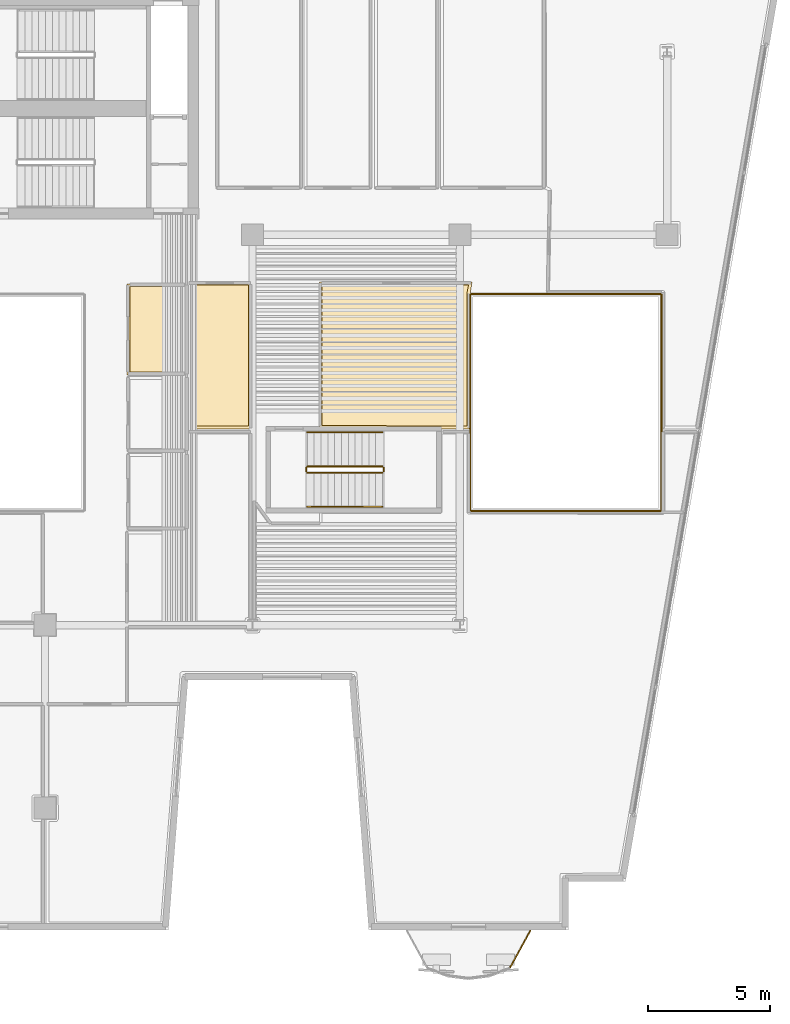
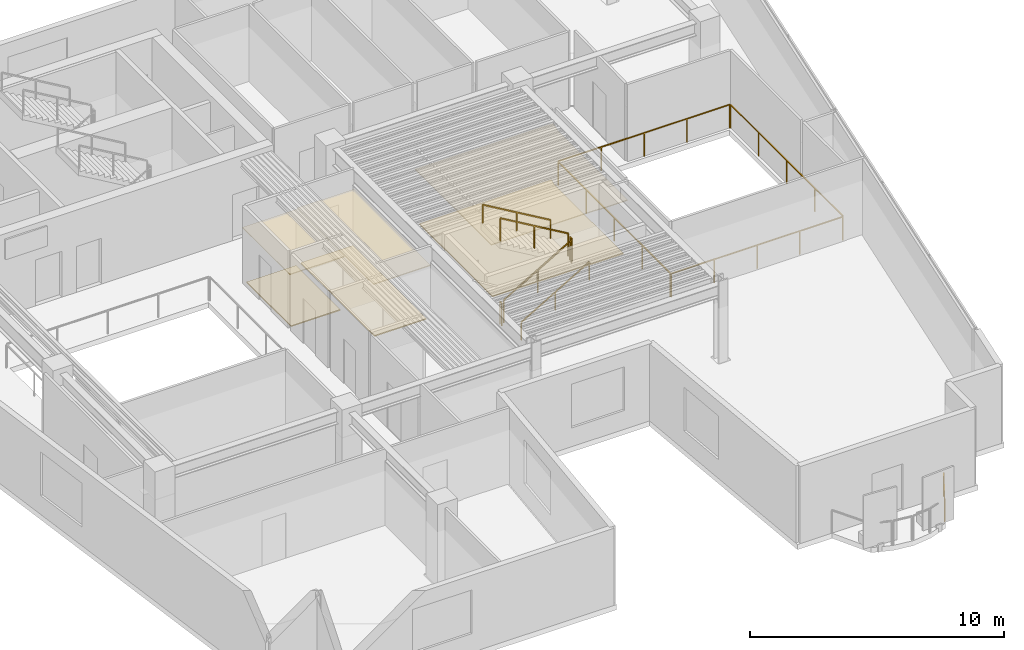
# One storey, part 8 of 10: 11 railings, 6 coverings.
"""IFC4 building model written with IfcOpenShell, lengths in metres."""

from ifc_helpers import new_model, si_unit, direction, frame, origin, origin_2d, place, context, subcontext, project, spatial, polyline, rectangle, outline, extrude, material, layer, layer_set, type_object, element, save


model = new_model("IFC4")

# Units and contexts
model_context = context("Model", 3, precision=1e-05, world=origin(), true_north=direction((0.0, 1.0)))
body_context = subcontext(model_context, "Body", "Model", "MODEL_VIEW")
ifc_project = project(units=[si_unit("LENGTHUNIT", "METRE"), si_unit("AREAUNIT", "SQUARE_METRE"), si_unit("VOLUMEUNIT", "CUBIC_METRE"), si_unit("PLANEANGLEUNIT", "RADIAN"), si_unit("MASSUNIT", "GRAM", prefix="KILO")], contexts=[model_context])

# Site, building, storey
site_placement = place(None, origin())
site = spatial("IfcSite", under=ifc_project, at=site_placement, CompositionType="ELEMENT")
building_placement = place(site_placement, origin())
building = spatial("IfcBuilding", under=site, at=building_placement, Name="Caeloran Harvest Quay", CompositionType="ELEMENT")
storey_placement = place(building_placement, frame((0.0, 0.0, 187.699951171875)))
storey = spatial("IfcBuildingStorey", under=building, at=storey_placement, Name="L44", CompositionType="ELEMENT", Elevation=187.699951171875)

# Coverings
ifc_material_1 = material(Name="Perforated Mineral-Fibre Acoustic Ceiling Tile", Category="ceiling")
ifc_layer_1 = layer(ifc_material_1, 0.0400390625, Name="Perforated Mineral-Fibre Acoustic Ceiling Tile")
ifc_layer_set_1 = layer_set([ifc_layer_1], Name="Perforated Mineral-Fibre Acoustic Ceiling Tile")
covering_type_1 = type_object("IfcCoveringType", Name="COV-CEILING-ACOUSTIC", PredefinedType="CEILING", material=ifc_layer_set_1)
covering_1_placement = place(storey_placement, frame((0.0, 0.0, 2.60009765625)))
element("IfcCovering", 1, at=covering_1_placement, inside=storey, type_object=covering_type_1, Name="L44 Male Washroom WC Acoustic Ceiling", PredefinedType="CEILING", context=body_context, shape_type="SweptSolid", body=[
    extrude(outline(polyline([(22.840087890625, 28.989990234375), (22.840087890625, 25.260009765625), (20.360107421875, 25.260009765625), (20.360107421875, 28.989990234375), (22.840087890625, 28.989990234375)])), origin(), (0.0, 0.0, 1.0), 0.0400390625),
])
covering_2_placement = place(storey_placement, frame((0.0, 0.0, 2.60009765625)))
element("IfcCovering", 2, at=covering_2_placement, inside=storey, type_object=covering_type_1, Name="Harbour View Boardroom Acoustic Ceiling", PredefinedType="CEILING", context=body_context, shape_type="SweptSolid", body=[
    extrude(outline(polyline([(22.8701171875, 23.0400390625), (22.8701171875, 29.06005859375), (25.4599609375, 29.06005859375), (25.4599609375, 23.0400390625), (22.8701171875, 23.0400390625)])), origin(), (0.0, 0.0, 1.0), 0.0400390625),
])
covering_3_placement = place(storey_placement, frame((0.0, 0.0, 2.60009765625)))
element("IfcCovering", 3, at=covering_3_placement, inside=storey, type_object=covering_type_1, Name="Client Hospitality Lounge Acoustic Ceiling", PredefinedType="CEILING", context=body_context, shape_type="SweptSolid", body=[
    extrude(outline(polyline([(33.162841796875, 23.06005859375), (28.239990234375, 23.06005859375), (28.239990234375, 29.06005859375), (34.49853515625, 29.06005859375), (34.429931640625, 28.596923828125), (34.409912109375, 28.592041015625), (34.409912109375, 23.0400390625), (33.170166015625, 23.0400390625), (33.162841796875, 23.06005859375)])), origin(), (0.0, 0.0, 1.0), 0.0400390625),
])
ifc_material_2 = material(Name="Calcium-Sulphate Raised Access Floor and Terrazzo Finish", Category="flooring")
ifc_layer_2 = layer(ifc_material_2, 0.050048828125, Name="Calcium-Sulphate Raised Access Floor and Terrazzo Finish")
ifc_layer_set_2 = layer_set([ifc_layer_2], Name="Calcium-Sulphate Raised Access Floor and Terrazzo Finish")
covering_type_2 = type_object("IfcCoveringType", Name="COV-FLOOR-RAISED", PredefinedType="FLOORING", material=ifc_layer_set_2)
covering_4_placement = place(storey_placement, origin())
element("IfcCovering", 4, at=covering_4_placement, inside=storey, type_object=covering_type_2, Name="L44 Male Washroom WC Raised Finish Flooring", PredefinedType="FLOORING", context=body_context, shape_type="SweptSolid", body=[
    extrude(outline(polyline([(22.719970703125, 28.8701171875), (22.719970703125, 25.3798828125), (20.47998046875, 25.3798828125), (20.47998046875, 28.8701171875), (22.719970703125, 28.8701171875)])), origin(), (0.0, 0.0, 1.0), 0.050048828125),
])
covering_5_placement = place(storey_placement, origin())
element("IfcCovering", 5, at=covering_5_placement, inside=storey, type_object=covering_type_2, Name="Harbour View Boardroom Raised Finish Flooring", PredefinedType="FLOORING", context=body_context, shape_type="SweptSolid", body=[
    extrude(outline(polyline([(22.989990234375, 23.159912109375), (22.989990234375, 28.93994140625), (25.340087890625, 28.93994140625), (25.340087890625, 23.159912109375), (22.989990234375, 23.159912109375)])), origin(), (0.0, 0.0, 1.0), 0.050048828125),
])
covering_6_placement = place(storey_placement, origin())
element("IfcCovering", 6, at=covering_6_placement, inside=storey, type_object=covering_type_2, Name="Client Hospitality Lounge Raised Finish Flooring", PredefinedType="FLOORING", context=body_context, shape_type="SweptSolid", body=[
    extrude(outline(polyline([(34.2900390625, 23.159912109375), (28.360107421875, 23.179931640625), (28.360107421875, 28.93994140625), (34.359619140625, 28.93994140625), (34.2900390625, 28.60009765625), (34.2900390625, 23.159912109375)])), origin(), (0.0, 0.0, 1.0), 0.050048828125),
])

# Railings
ifc_material_3 = material(Name="Powder-Coated Steel Post and Laminated Glass Guardrail", Category="steel")
ifc_layer_3 = layer(ifc_material_3, 0.06005859375, Name="Powder-Coated Steel Post and Laminated Glass Guardrail")
ifc_layer_set_3 = layer_set([ifc_layer_3], Name="Powder-Coated Steel Post and Laminated Glass Guardrail")
railing_type_1 = type_object("IfcRailingType", Name="GUARD-ATRIUM-1150", PredefinedType="GUARDRAIL", material=ifc_layer_set_3)
railing_1_placement = place(storey_placement, frame((34.4619140625, 19.679931640625, 0.0)))
element("IfcRailing", 7, at=railing_1_placement, inside=storey, type_object=railing_type_1, Name="L44 East Botanical Lightwell Guardrail Seg 1", PredefinedType="GUARDRAIL", context=body_context, shape_type="SweptSolid", body=[
    extrude(rectangle(XDim=0.048095703125, YDim=0.048095703125, at=origin_2d()), frame((0.0, 0.0, 1.1259765625), z_axis=(1.0, 0.0, 0.0), x_axis=(0.0, 1.0, 0.0)), (0.0, 0.0, 1.0), 7.776123046875),
    extrude(rectangle(XDim=0.0419921875, YDim=0.0419921875, at=origin_2d()), origin(), (0.0, 0.0, 1.0), 1.101806640625),
    extrude(rectangle(XDim=0.0419921875, YDim=0.0419921875, at=origin_2d()), frame((1.944091796875, 0.0, 0.0)), (0.0, 0.0, 1.0), 1.101806640625),
    extrude(rectangle(XDim=0.0419921875, YDim=0.0419921875, at=origin_2d()), frame((3.88818359375, 0.0, 0.0)), (0.0, 0.0, 1.0), 1.101806640625),
    extrude(rectangle(XDim=0.0419921875, YDim=0.0419921875, at=origin_2d()), frame((5.83203125, 0.0, 0.0)), (0.0, 0.0, 1.0), 1.101806640625),
    extrude(rectangle(XDim=0.0419921875, YDim=0.0419921875, at=origin_2d()), frame((7.776123046875, 0.0, 0.0)), (0.0, 0.0, 1.0), 1.101806640625),
])
railing_2_placement = place(storey_placement, frame((42.27001953125, 19.7119140625, 0.0)))
element("IfcRailing", 8, at=railing_2_placement, inside=storey, type_object=railing_type_1, Name="L44 East Botanical Lightwell Guardrail Seg 2", PredefinedType="GUARDRAIL", context=body_context, shape_type="SweptSolid", body=[
    extrude(rectangle(XDim=0.048095703125, YDim=0.048095703125, at=origin_2d()), frame((0.0, 0.0, 1.1259765625), z_axis=(0.0, 1.0, 0.0), x_axis=(-1.0, 0.0, 0.0)), (0.0, 0.0, 1.0), 8.826171875),
    extrude(rectangle(XDim=0.0419921875, YDim=0.0419921875, at=origin_2d()), origin(), (0.0, 0.0, 1.0), 1.101806640625),
    extrude(rectangle(XDim=0.0419921875, YDim=0.0419921875, at=origin_2d()), frame((0.0, 2.20654296875, 0.0)), (0.0, 0.0, 1.0), 1.101806640625),
    extrude(rectangle(XDim=0.0419921875, YDim=0.0419921875, at=origin_2d()), frame((0.0, 4.4130859375, 0.0)), (0.0, 0.0, 1.0), 1.101806640625),
    extrude(rectangle(XDim=0.0419921875, YDim=0.0419921875, at=origin_2d()), frame((0.0, 6.61962890625, 0.0)), (0.0, 0.0, 1.0), 1.101806640625),
    extrude(rectangle(XDim=0.0419921875, YDim=0.0419921875, at=origin_2d()), frame((0.0, 8.826171875, 0.0)), (0.0, 0.0, 1.0), 1.101806640625),
])
railing_3_placement = place(storey_placement, frame((42.238037109375, 28.570068359375, 0.0)))
element("IfcRailing", 9, at=railing_3_placement, inside=storey, type_object=railing_type_1, Name="L44 East Botanical Lightwell Guardrail Seg 3", PredefinedType="GUARDRAIL", context=body_context, shape_type="SweptSolid", body=[
    extrude(rectangle(XDim=0.048095703125, YDim=0.048095703125, at=origin_2d()), frame((0.0, 0.0, 1.1259765625), z_axis=(-1.0, 0.0, 0.0), x_axis=(0.0, -1.0, 0.0)), (0.0, 0.0, 1.0), 7.776123046875),
    extrude(rectangle(XDim=0.0419921875, YDim=0.0419921875, at=origin_2d()), origin(), (0.0, 0.0, 1.0), 1.101806640625),
    extrude(rectangle(XDim=0.0419921875, YDim=0.0419921875, at=origin_2d()), frame((-1.944091796875, 0.0, 0.0)), (0.0, 0.0, 1.0), 1.101806640625),
    extrude(rectangle(XDim=0.0419921875, YDim=0.0419921875, at=origin_2d()), frame((-3.88818359375, 0.0, 0.0)), (0.0, 0.0, 1.0), 1.101806640625),
    extrude(rectangle(XDim=0.0419921875, YDim=0.0419921875, at=origin_2d()), frame((-5.83203125, 0.0, 0.0)), (0.0, 0.0, 1.0), 1.101806640625),
    extrude(rectangle(XDim=0.0419921875, YDim=0.0419921875, at=origin_2d()), frame((-7.776123046875, 0.0, 0.0)), (0.0, 0.0, 1.0), 1.101806640625),
])
railing_4_placement = place(storey_placement, frame((34.429931640625, 28.5380859375, 0.0)))
element("IfcRailing", 10, at=railing_4_placement, inside=storey, type_object=railing_type_1, Name="L44 East Botanical Lightwell Guardrail Seg 4", PredefinedType="GUARDRAIL", context=body_context, shape_type="SweptSolid", body=[
    extrude(rectangle(XDim=0.048095703125, YDim=0.048095703125, at=origin_2d()), frame((0.0, 0.0, 1.1259765625), z_axis=(0.0, -1.0, 0.0), x_axis=(1.0, 0.0, 0.0)), (0.0, 0.0, 1.0), 8.826171875),
    extrude(rectangle(XDim=0.0419921875, YDim=0.0419921875, at=origin_2d()), origin(), (0.0, 0.0, 1.0), 1.101806640625),
    extrude(rectangle(XDim=0.0419921875, YDim=0.0419921875, at=origin_2d()), frame((0.0, -2.20654296875, 0.0)), (0.0, 0.0, 1.0), 1.101806640625),
    extrude(rectangle(XDim=0.0419921875, YDim=0.0419921875, at=origin_2d()), frame((0.0, -4.4130859375, 0.0)), (0.0, 0.0, 1.0), 1.101806640625),
    extrude(rectangle(XDim=0.0419921875, YDim=0.0419921875, at=origin_2d()), frame((0.0, -6.61962890625, 0.0)), (0.0, 0.0, 1.0), 1.101806640625),
    extrude(rectangle(XDim=0.0419921875, YDim=0.0419921875, at=origin_2d()), frame((0.0, -8.826171875, 0.0)), (0.0, 0.0, 1.0), 1.101806640625),
])
ifc_material_4 = material(Name="Laminated Safety Glass and Stainless Steel 316", Category="steel")
ifc_layer_4 = layer(ifc_material_4, 0.06005859375, Name="Laminated Safety Glass and Stainless Steel 316")
ifc_layer_set_4 = layer_set([ifc_layer_4], Name="Laminated Safety Glass and Stainless Steel 316")
railing_type_2 = type_object("IfcRailingType", Name="GUARD-BALUSTRADE-1150", PredefinedType="BALUSTRADE", material=ifc_layer_set_4)
railing_5_placement = place(storey_placement, frame((36.89501953125, 2.47998046875, 0.0)))
element("IfcRailing", 11, at=railing_5_placement, inside=storey, type_object=railing_type_2, Name="L44 Planted Balcony Perimeter Balustrade Guard Seg 1", PredefinedType="BALUSTRADE", context=body_context, shape_type="SweptSolid", body=[
    extrude(rectangle(XDim=0.048095703125, YDim=0.048095703125, at=origin_2d()), frame((0.0, 0.0, 1.1259765625), z_axis=(-0.483193700967, -0.875513476393, 0.0), x_axis=(0.875513476393, -0.483193700967, 0.0)), (0.0, 0.0, 1.0), 1.719482421875),
    extrude(rectangle(XDim=0.0419921875, YDim=0.0419921875, at=origin_2d()), origin(), (0.0, 0.0, 1.0), 1.101806640625),
    extrude(rectangle(XDim=0.0419921875, YDim=0.0419921875, at=origin_2d()), frame((-0.830810546875, -1.50537109375, 0.0)), (0.0, 0.0, 1.0), 1.101806640625),
])
ifc_material_5 = material(Name="Painted Steel Baluster and Top-Rail Stair Guard", Category="steel")
ifc_layer_5 = layer(ifc_material_5, 0.050048828125, Name="Painted Steel Baluster and Top-Rail Stair Guard")
ifc_layer_set_5 = layer_set([ifc_layer_5], Name="Painted Steel Baluster and Top-Rail Stair Guard")
railing_type_3 = type_object("IfcRailingType", Name="STAIR-GUARD-1100", PredefinedType="GUARDRAIL", material=ifc_layer_set_5)
railing_6_placement = place(storey_placement, frame((27.75, 21.25, 0.16455078125)))
element("IfcRailing", 12, at=railing_6_placement, inside=storey, type_object=railing_type_3, Name="L44 ST-W1 stair guard 1", PredefinedType="GUARDRAIL", context=body_context, shape_type="SweptSolid", body=[
    extrude(rectangle(XDim=0.048095703125, YDim=0.048095703125, at=origin_2d()), frame((0.0, 0.0, 1.076171875), z_axis=(0.862088758681, 0.0, 0.506757310905), x_axis=(0.0, 1.0, 0.0)), (0.0, 0.0, 1.0), 3.57275390625),
    extrude(rectangle(XDim=0.0419921875, YDim=0.0419921875, at=origin_2d()), origin(), (0.0, 0.0, 1.0), 1.052001953125),
    extrude(rectangle(XDim=0.0419921875, YDim=0.0419921875, at=origin_2d()), frame((1.5400390625, 0.0, 0.9052734375)), (0.0, 0.0, 1.0), 1.052001953125),
    extrude(rectangle(XDim=0.0419921875, YDim=0.0419921875, at=origin_2d()), frame((3.080078125, 0.0, 1.810546875)), (0.0, 0.0, 1.0), 1.052001953125),
])
railing_7_placement = place(storey_placement, frame((30.8798828125, 21.300048828125, 1.97509765625)))
element("IfcRailing", 13, at=railing_7_placement, inside=storey, type_object=railing_type_3, Name="L44 ST-W1 stair guard 2", PredefinedType="GUARDRAIL", context=body_context, shape_type="SweptSolid", body=[
    extrude(rectangle(XDim=0.048095703125, YDim=0.048095703125, at=origin_2d()), frame((0.0, 0.0, 1.076171875), z_axis=(0.0, 1.0, 0.0), x_axis=(-1.0, 0.0, 0.0)), (0.0, 0.0, 1.0), 0.14990234375),
    extrude(rectangle(XDim=0.0419921875, YDim=0.0419921875, at=origin_2d()), origin(), (0.0, 0.0, 1.0), 1.052001953125),
    extrude(rectangle(XDim=0.0419921875, YDim=0.0419921875, at=origin_2d()), frame((0.0, 0.14990234375, 0.0)), (0.0, 0.0, 1.0), 1.052001953125),
])
railing_8_placement = place(storey_placement, frame((30.830078125, 21.5, 2.1396484375)))
element("IfcRailing", 14, at=railing_8_placement, inside=storey, type_object=railing_type_3, Name="L44 ST-W1 stair guard 3", PredefinedType="GUARDRAIL", context=body_context, shape_type="SweptSolid", body=[
    extrude(rectangle(XDim=0.048095703125, YDim=0.048095703125, at=origin_2d()), frame((0.0, 0.0, 1.076171875), z_axis=(-0.862118610829, 0.0, 0.506706523406), x_axis=(0.0, -1.0, 0.0)), (0.0, 0.0, 1.0), 3.57275390625),
    extrude(rectangle(XDim=0.0419921875, YDim=0.0419921875, at=origin_2d()), origin(), (0.0, 0.0, 1.0), 1.052001953125),
    extrude(rectangle(XDim=0.0419921875, YDim=0.0419921875, at=origin_2d()), frame((-1.5400390625, 0.0, 0.9052734375)), (0.0, 0.0, 1.0), 1.052001953125),
    extrude(rectangle(XDim=0.0419921875, YDim=0.0419921875, at=origin_2d()), frame((-3.080078125, 0.0, 1.810302734375)), (0.0, 0.0, 1.0), 1.052001953125),
])
railing_9_placement = place(storey_placement, frame((27.699951171875, 21.300048828125, 0.0)))
element("IfcRailing", 15, at=railing_9_placement, inside=storey, type_object=railing_type_3, Name="L44 ST-W1 stair guard 4", PredefinedType="GUARDRAIL", context=body_context, shape_type="SweptSolid", body=[
    extrude(rectangle(XDim=0.048095703125, YDim=0.048095703125, at=origin_2d()), frame((0.0, 0.0, 1.076171875), z_axis=(0.0, 1.0, 0.0), x_axis=(-1.0, 0.0, 0.0)), (0.0, 0.0, 1.0), 0.14990234375),
    extrude(rectangle(XDim=0.0419921875, YDim=0.0419921875, at=origin_2d()), origin(), (0.0, 0.0, 1.0), 1.052001953125),
    extrude(rectangle(XDim=0.0419921875, YDim=0.0419921875, at=origin_2d()), frame((0.0, 0.14990234375, 0.0)), (0.0, 0.0, 1.0), 1.052001953125),
])
ifc_material_6 = material(Name="Brushed Stainless Steel Grade 304", Category="steel")
ifc_layer_6 = layer(ifc_material_6, 0.050048828125, Name="Brushed Stainless Steel Grade 304")
ifc_layer_set_6 = layer_set([ifc_layer_6], Name="Brushed Stainless Steel Grade 304")
railing_type_4 = type_object("IfcRailingType", Name="STAIR-HANDRAIL-900", PredefinedType="HANDRAIL", material=ifc_layer_set_6)
railing_10_placement = place(storey_placement, frame((27.75, 19.85009765625, 0.16455078125)))
element("IfcRailing", 16, at=railing_10_placement, inside=storey, type_object=railing_type_4, Name="L44 ST-W1 stair handrail 1", PredefinedType="HANDRAIL", context=body_context, shape_type="SweptSolid", body=[
    extrude(rectangle(XDim=0.048095703125, YDim=0.048095703125, at=origin_2d()), frame((0.0, 0.0, 0.8759765625), z_axis=(0.862088758681, 0.0, 0.506757310905), x_axis=(0.0, 1.0, 0.0)), (0.0, 0.0, 1.0), 3.57275390625),
    extrude(rectangle(XDim=0.0419921875, YDim=0.0419921875, at=origin_2d()), origin(), (0.0, 0.0, 1.0), 0.851806640625),
    extrude(rectangle(XDim=0.0419921875, YDim=0.0419921875, at=origin_2d()), frame((1.5400390625, 0.0, 0.9052734375)), (0.0, 0.0, 1.0), 0.851806640625),
    extrude(rectangle(XDim=0.0419921875, YDim=0.0419921875, at=origin_2d()), frame((3.080078125, 0.0, 1.810546875)), (0.0, 0.0, 1.0), 0.851806640625),
])
railing_11_placement = place(storey_placement, frame((30.830078125, 22.89990234375, 2.1396484375)))
element("IfcRailing", 17, at=railing_11_placement, inside=storey, type_object=railing_type_4, Name="L44 ST-W1 stair handrail 2", PredefinedType="HANDRAIL", context=body_context, shape_type="SweptSolid", body=[
    extrude(rectangle(XDim=0.048095703125, YDim=0.048095703125, at=origin_2d()), frame((0.0, 0.0, 0.8759765625), z_axis=(-0.862118610829, 0.0, 0.506706523406), x_axis=(0.0, -1.0, 0.0)), (0.0, 0.0, 1.0), 3.57275390625),
    extrude(rectangle(XDim=0.0419921875, YDim=0.0419921875, at=origin_2d()), origin(), (0.0, 0.0, 1.0), 0.851806640625),
    extrude(rectangle(XDim=0.0419921875, YDim=0.0419921875, at=origin_2d()), frame((-1.5400390625, 0.0, 0.9052734375)), (0.0, 0.0, 1.0), 0.851806640625),
    extrude(rectangle(XDim=0.0419921875, YDim=0.0419921875, at=origin_2d()), frame((-3.080078125, 0.0, 1.810302734375)), (0.0, 0.0, 1.0), 0.851806640625),
])

save(model, "model.ifc")
